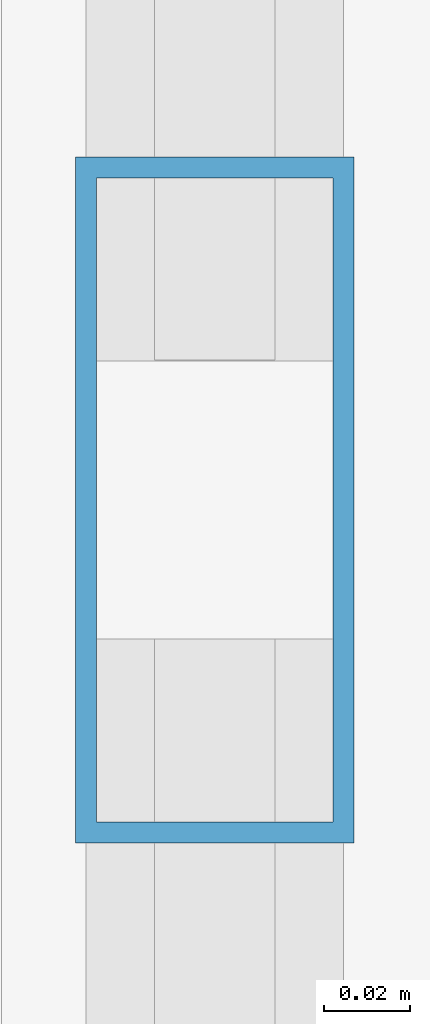
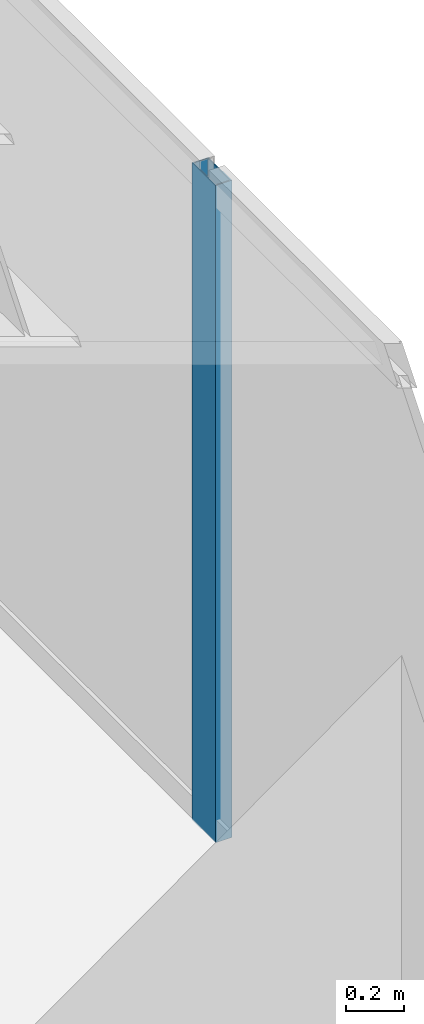
# One storey, part 11 of 28: 1 member, 1 element without a shape of its own.
"""IFC4 building model written with IfcOpenShell, lengths in metres."""

from ifc_helpers import new_model, si_unit, direction, frame, origin, origin_2d, place, context, subcontext, project, spatial, hollow_rectangle, extrude, source, transform, mapped, material, layer, layer_set, material_profile, profile_set, type_object, element, aggregate, save


model = new_model("IFC4")

# Units and contexts
model_context = context("Model", 3, precision=1e-05, world=origin(), true_north=direction((0.0, 1.0)))
body_context = subcontext(model_context, "Body", "Model", "MODEL_VIEW")
ifc_project = project(units=[si_unit("LENGTHUNIT", "METRE"), si_unit("AREAUNIT", "SQUARE_METRE"), si_unit("VOLUMEUNIT", "CUBIC_METRE"), si_unit("PLANEANGLEUNIT", "RADIAN"), si_unit("MASSUNIT", "GRAM", prefix="KILO")], contexts=[model_context])

# Site, building, storey
site_placement = place(None, origin())
site = spatial("IfcSite", under=ifc_project, at=site_placement, CompositionType="ELEMENT")
building_placement = place(site_placement, origin())
building = spatial("IfcBuilding", under=site, at=building_placement, Name="Sumidabori Civic Tower", CompositionType="ELEMENT")
storey_placement = place(building_placement, frame((0.0, 0.0, 178.39990234375)))
storey = spatial("IfcBuildingStorey", under=building, at=storey_placement, Name="L46", CompositionType="ELEMENT", Elevation=178.39990234375)

# Curtain wall, member
ifc_material = material(Name="Anodised Bronze Aluminium AW-6063-T6", Category="aluminium")
ifc_layer = layer(ifc_material, 0.179931640625, Name="Anodised Bronze Aluminium AW-6063-T6")
ifc_layer_set = layer_set([ifc_layer], Name="Anodised Bronze Aluminium AW-6063-T6")
curtain_wall_type = type_object("IfcCurtainWallType", Name="CW-SYS-3", PredefinedType="NOTDEFINED", material=ifc_layer_set)
curtain_wall_placement = place(storey_placement, origin())
curtain_wall = element("IfcCurtainWall", 1, at=curtain_wall_placement, inside=storey, type_object=curtain_wall_type, Name="Curtain Wall CW:L46:R04", PredefinedType="NOTDEFINED")
ifc_material_profile = material_profile(ifc_material, hollow_rectangle(XDim=0.06494140625, YDim=0.159912109375, WallThickness=0.0048828125, at=origin_2d()), Name="ALU MULLION 160x65")
ifc_profile_set = profile_set([ifc_material_profile], Name="Anodised Bronze Aluminium AW-6063-T6")
member_type = type_object("IfcMemberType", Name="CW-MUL-160", PredefinedType="MULLION", material=ifc_profile_set)
shared_shape = source(origin(), body_context, "Body", "SweptSolid", [
    extrude(hollow_rectangle(XDim=0.06494140625, YDim=0.159912109375, WallThickness=0.0048828125, at=origin_2d()), origin(), (0.0, 0.0, 1.0), 2.760009765625),
])
member_placement = place(storey_placement, frame((23.8798828125, -8.2099609375, 0.0), z_axis=(0.0, 0.0, 1.0), x_axis=(-1.0, 0.0, 0.0)))
member = element("IfcMember", 2, at=member_placement, type_object=member_type, Name="CW-3 mullion 2", PredefinedType="MULLION", context=body_context, shape_type="MappedRepresentation", body=[
    mapped(shared_shape, transform((0.0, 0.0, 0.0), x_axis=(1.0, 0.0, 0.0), y_axis=(0.0, 1.0, 0.0), z_axis=(0.0, 0.0, 1.0), scale=1.0)),
])
aggregate(curtain_wall, [member])

save(model, "model.ifc")
